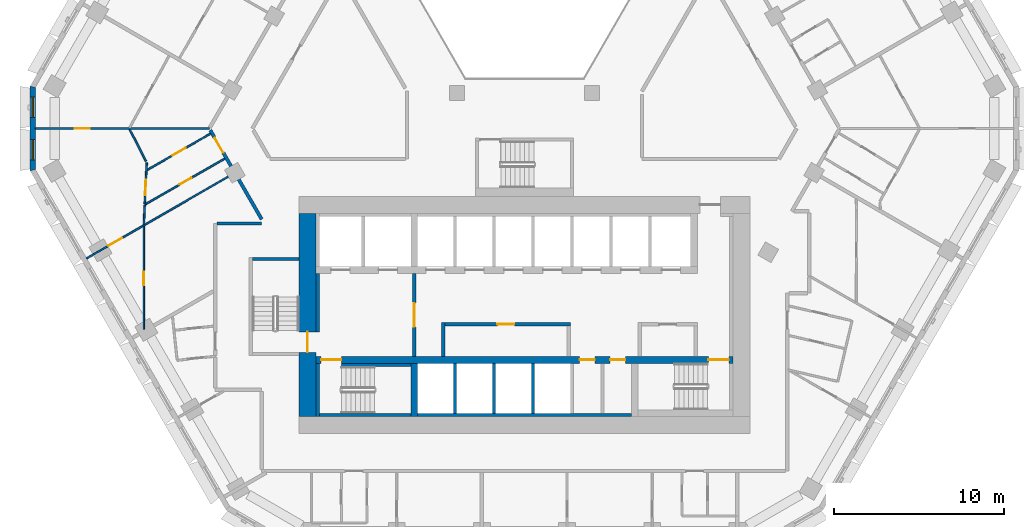
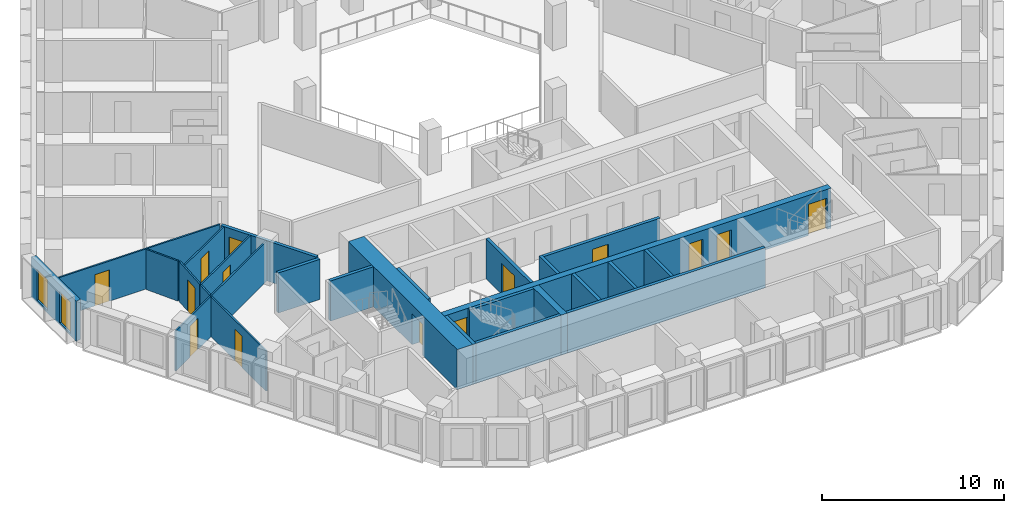
# One storey, part 4 of 18: 26 walls, 14 doors, 2 windows, 16 openings.
"""IFC4 building model written with IfcOpenShell, lengths in metres."""

from ifc_helpers import new_model, si_unit, direction, frame, frame_2d, origin, place, context, subcontext, project, spatial, polyline, rectangle, outline, extrude, material, layer, layer_set, type_object, element, fill, save


model = new_model("IFC4")

# Units and contexts
model_context = context("Model", 3, precision=1e-05, world=origin(), true_north=direction((0.0, 1.0)))
body_context = subcontext(model_context, "Body", "Model", "MODEL_VIEW")
ifc_project = project(units=[si_unit("LENGTHUNIT", "METRE"), si_unit("AREAUNIT", "SQUARE_METRE"), si_unit("VOLUMEUNIT", "CUBIC_METRE"), si_unit("PLANEANGLEUNIT", "RADIAN"), si_unit("MASSUNIT", "GRAM", prefix="KILO")], contexts=[model_context])

# Site, building, storey
site_placement = place(None, origin())
site = spatial("IfcSite", under=ifc_project, at=site_placement, CompositionType="ELEMENT")
building_placement = place(site_placement, origin())
building = spatial("IfcBuilding", under=site, at=building_placement, Name="Beryl Residences", CompositionType="ELEMENT")
storey_placement = place(building_placement, frame((0.0, 0.0, 81.0)))
storey = spatial("IfcBuildingStorey", under=building, at=storey_placement, Name="L24", CompositionType="ELEMENT", Elevation=81.0)

# Wall, openings, windows
ifc_material_1 = material(Name="Composite metal panel with mineral wool insulation")
ifc_layer_1 = layer(ifc_material_1, 0.300048828125)
ifc_layer_set_1 = layer_set([ifc_layer_1], Name="ES1 pale metal composite panel wall 300 mm")
wall_type_1 = type_object("IfcWallType", Name="ES1 pale metal composite panel wall 300 mm", PredefinedType="SOLIDWALL", material=ifc_layer_set_1)
wall_1_placement = place(storey_placement, frame((-29.007080078125, 1.5, 0.0), z_axis=(0.0, 0.0, 1.0), x_axis=(0.0, -1.0, 0.0)))
wall_1 = element("IfcWall", 1, at=wall_1_placement, inside=storey, type_object=wall_type_1, Name="ES1 external wall L24 NW-SW", PredefinedType="SOLIDWALL", context=body_context, shape_type="SweptSolid", body=[
    extrude(outline(polyline([(0.0, -0.14990234375), (5.0, -0.14990234375), (4.919677734375, 0.14990234375), (0.080322265625, 0.14990234375), (0.0, -0.14990234375)])), origin(), (0.0, 0.0, 1.0), 2.699951171875),
])
opening_1_placement = place(wall_1_placement, frame((0.64990234375, 0.0, 0.14990234375)))
opening_1 = element("IfcOpeningElement", 2, at=opening_1_placement, cuts=wall_1, Name="Opening W2", PredefinedType="OPENING", context=body_context, shape_type="SweptSolid", body=[
    extrude(rectangle(XDim=1.199951171875, YDim=2.10009765625, at=frame_2d((0.60009765625, 1.050048828125))), frame((0.0, 0.159912109375, 0.0), z_axis=(0.0, -1.0, 0.0), x_axis=(1.0, 0.0, 0.0)), (0.0, 0.0, 1.0), 0.320068359375),
])
opening_2_placement = place(wall_1_placement, frame((3.14990234375, 0.0, 0.14990234375)))
opening_2 = element("IfcOpeningElement", 3, at=opening_2_placement, cuts=wall_1, Name="Opening W2", PredefinedType="OPENING", context=body_context, shape_type="SweptSolid", body=[
    extrude(rectangle(XDim=1.199951171875, YDim=2.10009765625, at=frame_2d((0.60009765625, 1.050048828125))), frame((0.0, 0.159912109375, 0.0), z_axis=(0.0, -1.0, 0.0), x_axis=(1.0, 0.0, 0.0)), (0.0, 0.0, 1.0), 0.320068359375),
])
ifc_material_2 = material(Name="Aluminium and clear glass", Category="aluminium")
window_type = type_object("IfcWindowType", Name="W2 chamfer window 1200 x 2100 mm", PartitioningType="SINGLE_PANEL", PredefinedType="WINDOW", material=ifc_material_2)
window_1_placement = place(opening_1_placement, origin())
window_1 = element("IfcWindow", 4, at=window_1_placement, inside=storey, type_object=window_type, Name="W2 window L24 NW-SW 1", OverallHeight=2.10009765625, OverallWidth=1.199951171875, PartitioningType="SINGLE_PANEL", PredefinedType="WINDOW", context=body_context, shape_type="SweptSolid", body=[
    extrude(rectangle(XDim=1.199951171875, YDim=2.10009765625, at=frame_2d((0.60009765625, 1.050048828125))), frame((0.0, 0.030029296875, 0.0), z_axis=(0.0, -1.0, 0.0), x_axis=(1.0, 0.0, 0.0)), (0.0, 0.0, 1.0), 0.06005859375),
])
fill(opening_1, window_1)
window_2_placement = place(opening_2_placement, origin())
window_2 = element("IfcWindow", 5, at=window_2_placement, inside=storey, type_object=window_type, Name="W2 window L24 NW-SW 2", OverallHeight=2.10009765625, OverallWidth=1.199951171875, PartitioningType="SINGLE_PANEL", PredefinedType="WINDOW", context=body_context, shape_type="SweptSolid", body=[
    extrude(rectangle(XDim=1.199951171875, YDim=2.10009765625, at=frame_2d((0.60009765625, 1.050048828125))), frame((0.0, 0.030029296875, 0.0), z_axis=(0.0, -1.0, 0.0), x_axis=(1.0, 0.0, 0.0)), (0.0, 0.0, 1.0), 0.06005859375),
])
fill(opening_2, window_2)

# Wall
ifc_material_3 = material(Name="Gypsum board partition on steel studs", Category="steel")
ifc_layer_2 = layer(ifc_material_3, 0.10009765625)
ifc_layer_set_2 = layer_set([ifc_layer_2], Name="PT1 partition 100 mm gypsum board on steel studs")
wall_type_2 = type_object("IfcWallType", Name="PT1 partition 100 mm gypsum board on steel studs", PredefinedType="PARTITIONING", material=ifc_layer_set_2)
wall_2_placement = place(storey_placement, frame((-23.2890625, -1.053955078125, 0.0), z_axis=(0.0, 0.0, 1.0), x_axis=(0.458226112305, -0.888835659726, 0.0)))
element("IfcWall", 6, at=wall_2_placement, inside=storey, type_object=wall_type_2, Name="Wall PT1 L24 009", PredefinedType="PARTITIONING", context=body_context, shape_type="SweptSolid", body=[
    extrude(rectangle(XDim=2.10400390625, YDim=0.10009765625, at=frame_2d((1.052001953125, 0.0))), origin(), (0.0, 0.0, 1.0), 2.699951171875),
])

# Wall, opening, door
wall_3_placement = place(storey_placement, frame((-28.85693359375, -1.0009765625, 0.0), z_axis=(0.0, 0.0, 1.0), x_axis=(1.0, 0.0, 0.0)))
wall_3 = element("IfcWall", 7, at=wall_3_placement, inside=storey, type_object=wall_type_2, Name="Wall PT1 L24 032", PredefinedType="PARTITIONING", context=body_context, shape_type="SweptSolid", body=[
    extrude(rectangle(XDim=10.265869140625, YDim=0.10009765625, at=frame_2d((5.1328125, 0.0))), origin(), (0.0, 0.0, 1.0), 2.699951171875),
])
opening_3_placement = place(wall_3_placement, frame((2.320068359375, 0.0, 0.0)))
opening_3 = element("IfcOpeningElement", 8, at=opening_3_placement, cuts=wall_3, Name="Opening D0621", PredefinedType="OPENING", context=body_context, shape_type="SweptSolid", body=[
    extrude(rectangle(XDim=0.89990234375, YDim=2.10009765625, at=frame_2d((0.449951171875, 1.050048828125))), frame((0.0, 0.06005859375, 0.0), z_axis=(0.0, -1.0, 0.0), x_axis=(1.0, 0.0, 0.0)), (0.0, 0.0, 1.0), 0.1201171875),
])
ifc_material_4 = material(Name="Timber door leaf", Category="wood")
door_type_1 = type_object("IfcDoorType", Name="D2 room door 900 x 2100 mm", OperationType="SINGLE_SWING_LEFT", PredefinedType="DOOR", material=ifc_material_4)
door_1_placement = place(opening_3_placement, origin())
door_1 = element("IfcDoor", 9, at=door_1_placement, inside=storey, type_object=door_type_1, Name="Door D0621 L24 001", OperationType="SINGLE_SWING_LEFT", OverallHeight=2.10009765625, OverallWidth=0.89990234375, PredefinedType="DOOR", context=body_context, shape_type="SweptSolid", body=[
    extrude(rectangle(XDim=0.89990234375, YDim=2.10009765625, at=frame_2d((0.449951171875, 1.050048828125))), frame((0.0, 0.02490234375, 0.0), z_axis=(0.0, -1.0, 0.0), x_axis=(1.0, 0.0, 0.0)), (0.0, 0.0, 1.0), 0.050048828125),
])
fill(opening_3, door_1)

wall_4_placement = place(storey_placement, frame((-22.39892578125, -5.449951171875, 0.0), z_axis=(0.0, 0.0, 1.0), x_axis=(0.049129140995, 0.998792434646, 0.0)))
wall_4 = element("IfcWall", 10, at=wall_4_placement, inside=storey, type_object=wall_type_2, Name="Wall PT1 L24 052", PredefinedType="PARTITIONING", context=body_context, shape_type="SweptSolid", body=[
    extrude(rectangle(XDim=2.43994140625, YDim=0.10009765625, at=frame_2d((1.219970703125, 0.0))), origin(), (0.0, 0.0, 1.0), 2.699951171875),
])
opening_4_placement = place(wall_4_placement, frame((0.52197265625, 0.0, 0.0)))
opening_4 = element("IfcOpeningElement", 11, at=opening_4_placement, cuts=wall_4, Name="Opening D0620", PredefinedType="OPENING", context=body_context, shape_type="SweptSolid", body=[
    extrude(rectangle(XDim=0.89990234375, YDim=2.10009765625, at=frame_2d((0.449951171875, 1.050048828125))), frame((0.0, 0.06005859375, 0.0), z_axis=(0.0, -1.0, 0.0), x_axis=(1.0, 0.0, 0.0)), (0.0, 0.0, 1.0), 0.1201171875),
])
door_2_placement = place(opening_4_placement, origin())
door_2 = element("IfcDoor", 12, at=door_2_placement, inside=storey, type_object=door_type_1, Name="Door D0620 L24 001", OperationType="SINGLE_SWING_RIGHT", OverallHeight=2.10009765625, OverallWidth=0.89990234375, PredefinedType="DOOR", context=body_context, shape_type="SweptSolid", body=[
    extrude(rectangle(XDim=0.89990234375, YDim=2.10009765625, at=frame_2d((0.449951171875, 1.050048828125))), frame((0.0, 0.02490234375, 0.0), z_axis=(0.0, -1.0, 0.0), x_axis=(1.0, 0.0, 0.0)), (0.0, 0.0, 1.0), 0.050048828125),
])
fill(opening_4, door_2)

# Wall
wall_5_placement = place(storey_placement, frame((-22.447998046875, -6.65087890625, 0.0), z_axis=(0.0, 0.0, 1.0), x_axis=(0.040729401597, 0.99917021365, 0.0)))
element("IfcWall", 13, at=wall_5_placement, inside=storey, type_object=wall_type_2, Name="Wall PT1 L24 053", PredefinedType="PARTITIONING", context=body_context, shape_type="SweptSolid", body=[
    extrude(rectangle(XDim=1.126953125, YDim=0.10009765625, at=frame_2d((0.5634765625, 0.0))), origin(), (0.0, 0.0, 1.0), 2.699951171875),
])

# Wall, opening, door
wall_6_placement = place(storey_placement, frame((-22.449951171875, -12.845947265625, 0.0), z_axis=(0.0, 0.0, 1.0), x_axis=(0.0, 1.0, 0.0)))
wall_6 = element("IfcWall", 14, at=wall_6_placement, inside=storey, type_object=wall_type_2, Name="Wall PT1 L24 066", PredefinedType="PARTITIONING", context=body_context, shape_type="SweptSolid", body=[
    extrude(rectangle(XDim=6.077880859375, YDim=0.10009765625, at=frame_2d((3.0390625, 0.0))), origin(), (0.0, 0.0, 1.0), 2.699951171875),
])
opening_5_placement = place(wall_6_placement, frame((2.610107421875, 0.0, 0.0)))
opening_5 = element("IfcOpeningElement", 15, at=opening_5_placement, cuts=wall_6, Name="Opening D0623", PredefinedType="OPENING", context=body_context, shape_type="SweptSolid", body=[
    extrude(rectangle(XDim=0.800048828125, YDim=2.10009765625, at=frame_2d((0.39990234375, 1.050048828125))), frame((0.0, 0.06005859375, 0.0), z_axis=(0.0, -1.0, 0.0), x_axis=(1.0, 0.0, 0.0)), (0.0, 0.0, 1.0), 0.1201171875),
])
ifc_material_5 = material(Name="Timber door leaf", Category="wood")
door_type_2 = type_object("IfcDoorType", Name="D3 bathroom door 800 x 2100 mm", OperationType="SINGLE_SWING_LEFT", PredefinedType="DOOR", material=ifc_material_5)
door_3_placement = place(opening_5_placement, origin())
door_3 = element("IfcDoor", 16, at=door_3_placement, inside=storey, type_object=door_type_2, Name="Door D0623 L24 001", OperationType="SINGLE_SWING_LEFT", OverallHeight=2.10009765625, OverallWidth=0.800048828125, PredefinedType="DOOR", context=body_context, shape_type="SweptSolid", body=[
    extrude(rectangle(XDim=0.800048828125, YDim=2.10009765625, at=frame_2d((0.39990234375, 1.050048828125))), frame((0.0, 0.02490234375, 0.0), z_axis=(0.0, -1.0, 0.0), x_axis=(1.0, 0.0, 0.0)), (0.0, 0.0, 1.0), 0.050048828125),
])
fill(opening_5, door_3)

wall_7_placement = place(storey_placement, frame((-25.830078125, -8.662109375, 0.0), z_axis=(0.0, 0.0, 1.0), x_axis=(0.866022959057, 0.500004234368, 0.0)))
wall_7 = element("IfcWall", 17, at=wall_7_placement, inside=storey, type_object=wall_type_2, Name="Wall PT1 L24 071", PredefinedType="PARTITIONING", context=body_context, shape_type="SweptSolid", body=[
    extrude(rectangle(XDim=10.0, YDim=0.10009765625, at=frame_2d((5.0, 0.0))), origin(), (0.0, 0.0, 1.0), 2.699951171875),
])
opening_6_placement = place(wall_7_placement, frame((1.5009765625, 0.0, 0.0)))
opening_6 = element("IfcOpeningElement", 18, at=opening_6_placement, cuts=wall_7, Name="Opening D0622", PredefinedType="OPENING", context=body_context, shape_type="SweptSolid", body=[
    extrude(rectangle(XDim=0.89990234375, YDim=2.10009765625, at=frame_2d((0.449951171875, 1.050048828125))), frame((0.0, 0.06005859375, 0.0), z_axis=(0.0, -1.0, 0.0), x_axis=(1.0, 0.0, 0.0)), (0.0, 0.0, 1.0), 0.1201171875),
])
door_4_placement = place(opening_6_placement, origin())
door_4 = element("IfcDoor", 19, at=door_4_placement, inside=storey, type_object=door_type_1, Name="Door D0622 L24 001", OperationType="SINGLE_SWING_RIGHT", OverallHeight=2.10009765625, OverallWidth=0.89990234375, PredefinedType="DOOR", context=body_context, shape_type="SweptSolid", body=[
    extrude(rectangle(XDim=0.89990234375, YDim=2.10009765625, at=frame_2d((0.449951171875, 1.050048828125))), frame((0.0, 0.02490234375, 0.0), z_axis=(0.0, -1.0, 0.0), x_axis=(1.0, 0.0, 0.0)), (0.0, 0.0, 1.0), 0.050048828125),
])
fill(opening_6, door_4)

wall_8_placement = place(storey_placement, frame((-22.40087890625, -5.489990234375, 0.0), z_axis=(0.0, 0.0, 1.0), x_axis=(0.867314404256, 0.497760709749, 0.0)))
wall_8 = element("IfcWall", 20, at=wall_8_placement, inside=storey, type_object=wall_type_2, Name="Wall PT1 L24 072", PredefinedType="PARTITIONING", context=body_context, shape_type="SweptSolid", body=[
    extrude(rectangle(XDim=5.4443359375, YDim=0.10009765625, at=frame_2d((2.72216796875, 0.0))), origin(), (0.0, 0.0, 1.0), 2.699951171875),
])
opening_7_placement = place(wall_8_placement, frame((2.3720703125, 0.0, 0.0)))
opening_7 = element("IfcOpeningElement", 21, at=opening_7_placement, cuts=wall_8, Name="Opening D0618", PredefinedType="OPENING", context=body_context, shape_type="SweptSolid", body=[
    extrude(rectangle(XDim=0.800048828125, YDim=2.10009765625, at=frame_2d((0.39990234375, 1.050048828125))), frame((0.0, 0.06005859375, 0.0), z_axis=(0.0, -1.0, 0.0), x_axis=(1.0, 0.0, 0.0)), (0.0, 0.0, 1.0), 0.1201171875),
])
door_5_placement = place(opening_7_placement, origin())
door_5 = element("IfcDoor", 22, at=door_5_placement, inside=storey, type_object=door_type_2, Name="Door D0618 L24 001", OperationType="SINGLE_SWING_RIGHT", OverallHeight=2.10009765625, OverallWidth=0.800048828125, PredefinedType="DOOR", context=body_context, shape_type="SweptSolid", body=[
    extrude(rectangle(XDim=0.800048828125, YDim=2.10009765625, at=frame_2d((0.39990234375, 1.050048828125))), frame((0.0, 0.02490234375, 0.0), z_axis=(0.0, -1.0, 0.0), x_axis=(1.0, 0.0, 0.0)), (0.0, 0.0, 1.0), 0.050048828125),
])
fill(opening_7, door_5)

wall_9_placement = place(storey_placement, frame((-22.25, -3.443115234375, 0.0), z_axis=(0.0, 0.0, 1.0), x_axis=(0.867362741349, 0.497676476156, 0.0)))
wall_9 = element("IfcWall", 23, at=wall_9_placement, inside=storey, type_object=wall_type_2, Name="Wall PT1 L24 073", PredefinedType="PARTITIONING", context=body_context, shape_type="SweptSolid", body=[
    extrude(rectangle(XDim=4.2900390625, YDim=0.10009765625, at=frame_2d((2.14501953125, 0.0))), origin(), (0.0, 0.0, 1.0), 2.699951171875),
])
opening_8_placement = place(wall_9_placement, frame((1.715087890625, 0.0, 0.0)))
opening_8 = element("IfcOpeningElement", 24, at=opening_8_placement, cuts=wall_9, Name="Opening D0619", PredefinedType="OPENING", context=body_context, shape_type="SweptSolid", body=[
    extrude(rectangle(XDim=0.89990234375, YDim=2.10009765625, at=frame_2d((0.449951171875, 1.050048828125))), frame((0.0, 0.06005859375, 0.0), z_axis=(0.0, -1.0, 0.0), x_axis=(1.0, 0.0, 0.0)), (0.0, 0.0, 1.0), 0.1201171875),
])
door_6_placement = place(opening_8_placement, origin())
door_6 = element("IfcDoor", 25, at=door_6_placement, inside=storey, type_object=door_type_1, Name="Door D0619 L24 001", OperationType="SINGLE_SWING_LEFT", OverallHeight=2.10009765625, OverallWidth=0.89990234375, PredefinedType="DOOR", context=body_context, shape_type="SweptSolid", body=[
    extrude(rectangle(XDim=0.89990234375, YDim=2.10009765625, at=frame_2d((0.449951171875, 1.050048828125))), frame((0.0, 0.02490234375, 0.0), z_axis=(0.0, -1.0, 0.0), x_axis=(1.0, 0.0, 0.0)), (0.0, 0.0, 1.0), 0.050048828125),
])
fill(opening_8, door_6)

# Wall
ifc_material_6 = material(Name="Concrete masonry", Category="masonry")
ifc_layer_3 = layer(ifc_material_6, 0.199951171875)
ifc_layer_set_3 = layer_set([ifc_layer_3], Name="PT13 lobby wall 200 mm")
wall_type_3 = type_object("IfcWallType", Name="PT13 lobby wall 200 mm", PredefinedType="PARTITIONING", material=ifc_layer_set_3)
wall_10_placement = place(storey_placement, frame((-12.199951171875, -13.0, 0.0), z_axis=(0.0, 0.0, 1.0), x_axis=(0.0, 1.0, 0.0)))
element("IfcWall", 26, at=wall_10_placement, inside=storey, type_object=wall_type_3, Name="Lobby wall 05", PredefinedType="PARTITIONING", context=body_context, shape_type="SweptSolid", body=[
    extrude(rectangle(XDim=3.449951171875, YDim=0.199951171875, at=frame_2d((1.72509765625, 0.0))), origin(), (0.0, 0.0, 1.0), 2.699951171875),
])

# Wall, opening, door
wall_11_placement = place(storey_placement, frame((-6.5, -14.449951171875, 0.0), z_axis=(0.0, 0.0, 1.0), x_axis=(0.0, 1.0, 0.0)))
wall_11 = element("IfcWall", 27, at=wall_11_placement, inside=storey, type_object=wall_type_3, Name="Lobby wall 11", PredefinedType="PARTITIONING", context=body_context, shape_type="SweptSolid", body=[
    extrude(rectangle(XDim=4.89990234375, YDim=0.199951171875, at=frame_2d((2.449951171875, 0.0))), origin(), (0.0, 0.0, 1.0), 2.699951171875),
])
opening_9_placement = place(wall_11_placement, frame((3.14990234375, 0.0, 0.0), z_axis=(0.0, 0.0, 1.0), x_axis=(-1.0, 0.0, 0.0)))
opening_9 = element("IfcOpeningElement", 28, at=opening_9_placement, cuts=wall_11, Name="Opening FD-FFL", PredefinedType="OPENING", context=body_context, shape_type="SweptSolid", body=[
    extrude(rectangle(XDim=1.39990234375, YDim=2.10009765625, at=frame_2d((0.699951171875, 1.050048828125))), frame((0.0, 0.10986328125, 0.0), z_axis=(0.0, -1.0, 0.0), x_axis=(1.0, 0.0, 0.0)), (0.0, 0.0, 1.0), 0.219970703125),
])
ifc_material_7 = material(Name="Steel door leaf in steel frame", Category="steel")
door_type_3 = type_object("IfcDoorType", Name="D5 lobby door 1400 x 2100 mm", OperationType="DOUBLE_DOOR_SINGLE_SWING", PredefinedType="DOOR", material=ifc_material_7)
door_7_placement = place(opening_9_placement, origin())
door_7 = element("IfcDoor", 29, at=door_7_placement, inside=storey, type_object=door_type_3, Name="Door FD-FFL L24 001", OperationType="DOUBLE_DOOR_SINGLE_SWING", OverallHeight=2.10009765625, OverallWidth=1.39990234375, PredefinedType="DOOR", context=body_context, shape_type="SweptSolid", body=[
    extrude(rectangle(XDim=1.39990234375, YDim=2.10009765625, at=frame_2d((0.699951171875, 1.050048828125))), frame((0.0, 0.02490234375, 0.0), z_axis=(0.0, -1.0, 0.0), x_axis=(1.0, 0.0, 0.0)), (0.0, 0.0, 1.0), 0.050048828125),
])
fill(opening_9, door_7)

# Wall
wall_12_placement = place(storey_placement, frame((-4.800048828125, -14.449951171875, 0.0), z_axis=(0.0, 0.0, 1.0), x_axis=(0.0, 1.0, 0.0)))
element("IfcWall", 30, at=wall_12_placement, inside=storey, type_object=wall_type_3, Name="Lobby wall 14", PredefinedType="PARTITIONING", context=body_context, shape_type="SweptSolid", body=[
    extrude(rectangle(XDim=2.0, YDim=0.199951171875, at=frame_2d((1.0, 0.0))), origin(), (0.0, 0.0, 1.0), 2.699951171875),
])

# Wall, opening, door
wall_13_placement = place(storey_placement, frame((-4.699951171875, -12.550048828125, 0.0), z_axis=(0.0, 0.0, 1.0), x_axis=(1.0, 0.0, 0.0)))
wall_13 = element("IfcWall", 31, at=wall_13_placement, inside=storey, type_object=wall_type_3, Name="Lobby wall 15", PredefinedType="PARTITIONING", context=body_context, shape_type="SweptSolid", body=[
    extrude(rectangle(XDim=7.39990234375, YDim=0.199951171875, at=frame_2d((3.699951171875, 0.0))), origin(), (0.0, 0.0, 1.0), 2.699951171875),
])
opening_10_placement = place(wall_13_placement, frame((4.10009765625, 0.0, 0.0), z_axis=(0.0, 0.0, 1.0), x_axis=(-1.0, 0.0, 0.0)))
opening_10 = element("IfcOpeningElement", 32, at=opening_10_placement, cuts=wall_13, Name="Opening CD-D-A1", PredefinedType="OPENING", context=body_context, shape_type="SweptSolid", body=[
    extrude(rectangle(XDim=1.0, YDim=2.10009765625, at=frame_2d((0.5, 1.050048828125))), frame((0.0, 0.10986328125, 0.0), z_axis=(0.0, -1.0, 0.0), x_axis=(1.0, 0.0, 0.0)), (0.0, 0.0, 1.0), 0.219970703125),
])
ifc_material_8 = material(Name="Steel door leaf in steel frame", Category="steel")
door_type_4 = type_object("IfcDoorType", Name="D18 service room door 1000 x 2100 mm", OperationType="SINGLE_SWING_LEFT", PredefinedType="DOOR", material=ifc_material_8)
door_8_placement = place(opening_10_placement, origin())
door_8 = element("IfcDoor", 33, at=door_8_placement, inside=storey, type_object=door_type_4, Name="Door CD-D-A1 L24 001", OperationType="SINGLE_SWING_RIGHT", OverallHeight=2.10009765625, OverallWidth=1.0, PredefinedType="DOOR", context=body_context, shape_type="SweptSolid", body=[
    extrude(rectangle(XDim=1.0, YDim=2.10009765625, at=frame_2d((0.5, 1.050048828125))), frame((0.0, 0.02490234375, 0.0), z_axis=(0.0, -1.0, 0.0), x_axis=(1.0, 0.0, 0.0)), (0.0, 0.0, 1.0), 0.050048828125),
])
fill(opening_10, door_8)

ifc_material_9 = material(Name="Double stud gypsum board wall")
ifc_layer_4 = layer(ifc_material_9, 0.199951171875)
ifc_layer_set_4 = layer_set([ifc_layer_4], Name="PT4 corridor wall 200 mm double stud")
wall_type_4 = type_object("IfcWallType", Name="PT4 corridor wall 200 mm double stud", PredefinedType="PARTITIONING", material=ifc_layer_set_4)
wall_14_placement = place(storey_placement, frame((-18.532958984375, -1.10107421875, 0.0), z_axis=(0.0, 0.0, 1.0), x_axis=(0.500022085096, -0.866012652573, 0.0)))
wall_14 = element("IfcWall", 34, at=wall_14_placement, inside=storey, type_object=wall_type_4, Name="Wall PT4 L24 003", PredefinedType="PARTITIONING", context=body_context, shape_type="SweptSolid", body=[
    extrude(rectangle(XDim=6.065673828125, YDim=0.199951171875, at=frame_2d((3.03271484375, 0.0))), origin(), (0.0, 0.0, 1.0), 2.699951171875),
])
opening_11_placement = place(wall_14_placement, frame((0.531982421875, 0.0, 0.0)))
opening_11 = element("IfcOpeningElement", 35, at=opening_11_placement, cuts=wall_14, Name="Opening D0617", PredefinedType="OPENING", context=body_context, shape_type="SweptSolid", body=[
    extrude(rectangle(XDim=1.0, YDim=2.10009765625, at=frame_2d((0.5, 1.050048828125))), frame((0.0, 0.10986328125, 0.0), z_axis=(0.0, -1.0, 0.0), x_axis=(1.0, 0.0, 0.0)), (0.0, 0.0, 1.0), 0.219970703125),
])
ifc_material_10 = material(Name="Timber door leaf", Category="wood")
door_type_5 = type_object("IfcDoorType", Name="D1 flat entrance door 1000 x 2100 mm", OperationType="SINGLE_SWING_LEFT", PredefinedType="DOOR", material=ifc_material_10)
door_9_placement = place(opening_11_placement, origin())
door_9 = element("IfcDoor", 36, at=door_9_placement, inside=storey, type_object=door_type_5, Name="Door D0617 L24 001", OperationType="SINGLE_SWING_LEFT", OverallHeight=2.10009765625, OverallWidth=1.0, PredefinedType="DOOR", context=body_context, shape_type="SweptSolid", body=[
    extrude(rectangle(XDim=1.0, YDim=2.10009765625, at=frame_2d((0.5, 1.050048828125))), frame((0.0, 0.02490234375, 0.0), z_axis=(0.0, -1.0, 0.0), x_axis=(1.0, 0.0, 0.0)), (0.0, 0.0, 1.0), 0.050048828125),
])
fill(opening_11, door_9)

# Walls
wall_15_placement = place(storey_placement, frame((-18.14990234375, -6.60009765625, 0.0), z_axis=(0.0, 0.0, 1.0), x_axis=(1.0, 0.0, 0.0)))
element("IfcWall", 37, at=wall_15_placement, inside=storey, type_object=wall_type_4, Name="Wall PT4 L24 013", PredefinedType="PARTITIONING", context=body_context, shape_type="SweptSolid", body=[
    extrude(rectangle(XDim=2.64892578125, YDim=0.199951171875, at=frame_2d((1.324462890625, 0.0))), origin(), (0.0, 0.0, 1.0), 2.699951171875),
])
ifc_material_11 = material(Name="Concrete C40/50", Category="concrete")
ifc_layer_5 = layer(ifc_material_11, 0.199951171875)
ifc_layer_set_5 = layer_set([ifc_layer_5], Name="PT5 stair enclosure wall 200 mm reinforced concrete C40/50")
wall_type_5 = type_object("IfcWallType", Name="PT5 stair enclosure wall 200 mm reinforced concrete C40/50", PredefinedType="SOLIDWALL", material=ifc_layer_set_5)
wall_16_placement = place(storey_placement, frame((-16.050048828125, -8.699951171875, 0.0), z_axis=(0.0, 0.0, 1.0), x_axis=(1.0, 0.0, 0.0)))
element("IfcWall", 38, at=wall_16_placement, inside=storey, type_object=wall_type_5, Name="Stair wall 03", PredefinedType="SOLIDWALL", context=body_context, shape_type="SweptSolid", body=[
    extrude(rectangle(XDim=2.75, YDim=0.199951171875, at=frame_2d((1.375, 0.0))), origin(), (0.0, 0.0, 1.0), 2.699951171875),
])
wall_17_placement = place(storey_placement, frame((-12.199951171875, -18.0, 0.0), z_axis=(0.0, 0.0, 1.0), x_axis=(0.0, 1.0, 0.0)))
element("IfcWall", 39, at=wall_17_placement, inside=storey, type_object=wall_type_5, Name="Stair wall 04", PredefinedType="SOLIDWALL", context=body_context, shape_type="SweptSolid", body=[
    extrude(rectangle(XDim=3.14990234375, YDim=0.199951171875, at=frame_2d((1.574951171875, 0.0))), origin(), (0.0, 0.0, 1.0), 2.699951171875),
])
wall_18_placement = place(storey_placement, frame((-12.10009765625, -17.89990234375, 0.0), z_axis=(0.0, 0.0, 1.0), x_axis=(1.0, 0.0, 0.0)))
element("IfcWall", 40, at=wall_18_placement, inside=storey, type_object=wall_type_5, Name="Stair wall 07", PredefinedType="SOLIDWALL", context=body_context, shape_type="SweptSolid", body=[
    extrude(rectangle(XDim=5.400146484375, YDim=0.199951171875, at=frame_2d((2.7001953125, 0.0))), origin(), (0.0, 0.0, 1.0), 2.699951171875),
])
wall_19_placement = place(storey_placement, frame((-10.800048828125, -14.949951171875, 0.0), z_axis=(0.0, 0.0, 1.0), x_axis=(1.0, 0.0, 0.0)))
element("IfcWall", 41, at=wall_19_placement, inside=storey, type_object=wall_type_5, Name="Stair wall 09", PredefinedType="SOLIDWALL", context=body_context, shape_type="SweptSolid", body=[
    extrude(rectangle(XDim=4.10009765625, YDim=0.199951171875, at=frame_2d((2.050048828125, 0.0))), origin(), (0.0, 0.0, 1.0), 2.699951171875),
])
ifc_material_12 = material(Name="Concrete C40/50", Category="concrete")
ifc_layer_6 = layer(ifc_material_12, 0.199951171875)
ifc_layer_set_6 = layer_set([ifc_layer_6], Name="PT6 lift shaft wall 200 mm reinforced concrete C40/50")
wall_type_6 = type_object("IfcWallType", Name="PT6 lift shaft wall 200 mm reinforced concrete C40/50", PredefinedType="SOLIDWALL", material=ifc_layer_set_6)
wall_20_placement = place(storey_placement, frame((-6.300048828125, -17.89990234375, 0.0), z_axis=(0.0, 0.0, 1.0), x_axis=(1.0, 0.0, 0.0)))
element("IfcWall", 42, at=wall_20_placement, inside=storey, type_object=wall_type_6, Name="Lift shaft wall 12", PredefinedType="SOLIDWALL", context=body_context, shape_type="SweptSolid", body=[
    extrude(rectangle(XDim=12.60009765625, YDim=0.199951171875, at=frame_2d((6.300048828125, 0.0))), origin(), (0.0, 0.0, 1.0), 2.699951171875),
])
for number, where, z_axis, x_axis, name in (
    (43, (-4.10009765625, -17.800048828125, 0.0), (0.0, 0.0, 1.0), (0.0, 1.0, 0.0), "Lift shaft wall 16"),
    (44, (-1.800048828125, -17.800048828125, 0.0), (0.0, 0.0, 1.0), (0.0, 1.0, 0.0), "Lift shaft wall 18"),
    (45, (0.5, -17.800048828125, 0.0), (0.0, 0.0, 1.0), (0.0, 1.0, 0.0), "Lift shaft wall 20"),
):
    element("IfcWall", number, at=place(storey_placement, frame(where, z_axis=z_axis, x_axis=x_axis)), inside=storey, type_object=wall_type_6, Name=name, PredefinedType="SOLIDWALL", context=body_context, shape_type="SweptSolid", body=[
        extrude(rectangle(XDim=2.949951171875, YDim=0.199951171875, at=frame_2d((1.47509765625, 0.0))), origin(), (0.0, 0.0, 1.0), 2.699951171875),
    ])

# Wall, opening, door
ifc_material_13 = material(Name="Concrete C70/85", Category="concrete")
ifc_layer_7 = layer(ifc_material_13, 1.0)
ifc_layer_set_7 = layer_set([ifc_layer_7], Name="SW2 core outer wall 1000 mm C70/85")
wall_type_7 = type_object("IfcWallType", Name="SW2 core outer wall 1000 mm C70/85", PredefinedType="SHEAR", material=ifc_layer_set_7)
wall_21_placement = place(storey_placement, frame((-12.800048828125, -18.0, 0.0), z_axis=(0.0, 0.0, 1.0), x_axis=(0.0, 1.0, 0.0)))
wall_21 = element("IfcWall", 46, at=wall_21_placement, inside=storey, type_object=wall_type_7, Name="Core wall W L24", PredefinedType="SHEAR", context=body_context, shape_type="SweptSolid", body=[
    extrude(rectangle(XDim=12.0, YDim=1.0, at=frame_2d((6.0, 0.0))), origin(), (0.0, 0.0, 1.0), 2.699951171875),
])
opening_12_placement = place(wall_21_placement, frame((3.800048828125, 0.0, 0.0)))
opening_12 = element("IfcOpeningElement", 47, at=opening_12_placement, cuts=wall_21, Name="Opening SD-2", PredefinedType="OPENING", context=body_context, shape_type="SweptSolid", body=[
    extrude(rectangle(XDim=1.199951171875, YDim=2.10009765625, at=frame_2d((0.60009765625, 1.050048828125))), frame((0.0, 0.510009765625, 0.0), z_axis=(0.0, -1.0, 0.0), x_axis=(1.0, 0.0, 0.0)), (0.0, 0.0, 1.0), 1.02001953125),
])
ifc_material_14 = material(Name="Steel door leaf in steel frame", Category="steel")
door_type_6 = type_object("IfcDoorType", Name="D4 stair door 1200 x 2100 mm", OperationType="SINGLE_SWING_LEFT", PredefinedType="DOOR", material=ifc_material_14)
door_10_placement = place(opening_12_placement, origin())
door_10 = element("IfcDoor", 48, at=door_10_placement, inside=storey, type_object=door_type_6, Name="Door SD-2 L24 001", OperationType="SINGLE_SWING_RIGHT", OverallHeight=2.10009765625, OverallWidth=1.199951171875, PredefinedType="DOOR", context=body_context, shape_type="SweptSolid", body=[
    extrude(rectangle(XDim=1.199951171875, YDim=2.10009765625, at=frame_2d((0.60009765625, 1.050048828125))), frame((0.0, 0.02490234375, 0.0), z_axis=(0.0, -1.0, 0.0), x_axis=(1.0, 0.0, 0.0)), (0.0, 0.0, 1.0), 0.050048828125),
])
fill(opening_12, door_10)

# Wall, openings, doors
ifc_material_15 = material(Name="Concrete C70/85", Category="concrete")
ifc_layer_8 = layer(ifc_material_15, 0.39990234375)
ifc_layer_set_8 = layer_set([ifc_layer_8], Name="SW7 core internal wall 400 mm C70/85")
wall_type_8 = type_object("IfcWallType", Name="SW7 core internal wall 400 mm C70/85", PredefinedType="SHEAR", material=ifc_layer_set_8)
wall_22_placement = place(storey_placement, frame((-12.300048828125, -14.64990234375, 0.0), z_axis=(0.0, 0.0, 1.0), x_axis=(1.0, 0.0, 0.0)))
wall_22 = element("IfcWall", 49, at=wall_22_placement, inside=storey, type_object=wall_type_8, Name="Core wall SP1 L24", PredefinedType="SHEAR", context=body_context, shape_type="SweptSolid", body=[
    extrude(rectangle(XDim=24.60009765625, YDim=0.39990234375, at=frame_2d((12.300048828125, 0.0))), origin(), (0.0, 0.0, 1.0), 2.699951171875),
])
opening_13_placement = place(wall_22_placement, frame((1.5, 0.0, 0.0), z_axis=(0.0, 0.0, 1.0), x_axis=(-1.0, 0.0, 0.0)))
opening_13 = element("IfcOpeningElement", 50, at=opening_13_placement, cuts=wall_22, Name="Opening SD-1", PredefinedType="OPENING", context=body_context, shape_type="SweptSolid", body=[
    extrude(rectangle(XDim=1.199951171875, YDim=2.10009765625, at=frame_2d((0.60009765625, 1.050048828125))), frame((0.0, 0.2099609375, 0.0), z_axis=(0.0, -1.0, 0.0), x_axis=(1.0, 0.0, 0.0)), (0.0, 0.0, 1.0), 0.419921875),
])
opening_14_placement = place(wall_22_placement, frame((24.349853515625, 0.0, 0.0), z_axis=(0.0, 0.0, 1.0), x_axis=(-1.0, 0.0, 0.0)))
opening_14 = element("IfcOpeningElement", 51, at=opening_14_placement, cuts=wall_22, Name="Opening SD-3", PredefinedType="OPENING", context=body_context, shape_type="SweptSolid", body=[
    extrude(rectangle(XDim=1.199951171875, YDim=2.10009765625, at=frame_2d((0.60009765625, 1.050048828125))), frame((0.0, 0.2099609375, 0.0), z_axis=(0.0, -1.0, 0.0), x_axis=(1.0, 0.0, 0.0)), (0.0, 0.0, 1.0), 0.419921875),
])
opening_15_placement = place(wall_22_placement, frame((16.449951171875, 0.0, 0.0), z_axis=(0.0, 0.0, 1.0), x_axis=(-1.0, 0.0, 0.0)))
opening_15 = element("IfcOpeningElement", 52, at=opening_15_placement, cuts=wall_22, Name="Opening CD-D-S1-900", PredefinedType="OPENING", context=body_context, shape_type="SweptSolid", body=[
    extrude(rectangle(XDim=0.89990234375, YDim=2.10009765625, at=frame_2d((0.449951171875, 1.050048828125))), frame((0.0, 0.2099609375, 0.0), z_axis=(0.0, -1.0, 0.0), x_axis=(1.0, 0.0, 0.0)), (0.0, 0.0, 1.0), 0.419921875),
])
opening_16_placement = place(wall_22_placement, frame((18.25, 0.0, 0.0), z_axis=(0.0, 0.0, 1.0), x_axis=(-1.0, 0.0, 0.0)))
opening_16 = element("IfcOpeningElement", 53, at=opening_16_placement, cuts=wall_22, Name="Opening CD-D-S2-900", PredefinedType="OPENING", context=body_context, shape_type="SweptSolid", body=[
    extrude(rectangle(XDim=0.89990234375, YDim=2.10009765625, at=frame_2d((0.449951171875, 1.050048828125))), frame((0.0, 0.2099609375, 0.0), z_axis=(0.0, -1.0, 0.0), x_axis=(1.0, 0.0, 0.0)), (0.0, 0.0, 1.0), 0.419921875),
])
door_11_placement = place(opening_13_placement, origin())
door_11 = element("IfcDoor", 54, at=door_11_placement, inside=storey, type_object=door_type_6, Name="Door SD-1 L24 001", OperationType="SINGLE_SWING_RIGHT", OverallHeight=2.10009765625, OverallWidth=1.199951171875, PredefinedType="DOOR", context=body_context, shape_type="SweptSolid", body=[
    extrude(rectangle(XDim=1.199951171875, YDim=2.10009765625, at=frame_2d((0.60009765625, 1.050048828125))), frame((0.0, 0.02490234375, 0.0), z_axis=(0.0, -1.0, 0.0), x_axis=(1.0, 0.0, 0.0)), (0.0, 0.0, 1.0), 0.050048828125),
])
fill(opening_13, door_11)
door_12_placement = place(opening_14_placement, origin())
door_12 = element("IfcDoor", 55, at=door_12_placement, inside=storey, type_object=door_type_6, Name="Door SD-3 L24 001", OperationType="SINGLE_SWING_RIGHT", OverallHeight=2.10009765625, OverallWidth=1.199951171875, PredefinedType="DOOR", context=body_context, shape_type="SweptSolid", body=[
    extrude(rectangle(XDim=1.199951171875, YDim=2.10009765625, at=frame_2d((0.60009765625, 1.050048828125))), frame((0.0, 0.02490234375, 0.0), z_axis=(0.0, -1.0, 0.0), x_axis=(1.0, 0.0, 0.0)), (0.0, 0.0, 1.0), 0.050048828125),
])
fill(opening_14, door_12)
ifc_material_16 = material(Name="Steel door leaf in steel frame", Category="steel")
door_type_7 = type_object("IfcDoorType", Name="D6 service room door 900 x 2100 mm", OperationType="SINGLE_SWING_LEFT", PredefinedType="DOOR", material=ifc_material_16)
door_13_placement = place(opening_15_placement, origin())
door_13 = element("IfcDoor", 56, at=door_13_placement, inside=storey, type_object=door_type_7, Name="Door CD-D-S1-900 L24 001", OperationType="SINGLE_SWING_RIGHT", OverallHeight=2.10009765625, OverallWidth=0.89990234375, PredefinedType="DOOR", context=body_context, shape_type="SweptSolid", body=[
    extrude(rectangle(XDim=0.89990234375, YDim=2.10009765625, at=frame_2d((0.449951171875, 1.050048828125))), frame((0.0, 0.02490234375, 0.0), z_axis=(0.0, -1.0, 0.0), x_axis=(1.0, 0.0, 0.0)), (0.0, 0.0, 1.0), 0.050048828125),
])
fill(opening_15, door_13)
door_14_placement = place(opening_16_placement, origin())
door_14 = element("IfcDoor", 57, at=door_14_placement, inside=storey, type_object=door_type_7, Name="Door CD-D-S2-900 L24 001", OperationType="SINGLE_SWING_LEFT", OverallHeight=2.10009765625, OverallWidth=0.89990234375, PredefinedType="DOOR", context=body_context, shape_type="SweptSolid", body=[
    extrude(rectangle(XDim=0.89990234375, YDim=2.10009765625, at=frame_2d((0.449951171875, 1.050048828125))), frame((0.0, 0.02490234375, 0.0), z_axis=(0.0, -1.0, 0.0), x_axis=(1.0, 0.0, 0.0)), (0.0, 0.0, 1.0), 0.050048828125),
])
fill(opening_16, door_14)

# Wall
wall_23_placement = place(storey_placement, frame((-6.5, -18.0, 0.0), z_axis=(0.0, 0.0, 1.0), x_axis=(0.0, 1.0, 0.0)))
element("IfcWall", 58, at=wall_23_placement, inside=storey, type_object=wall_type_8, Name="Core wall XS1 L24", PredefinedType="SHEAR", context=body_context, shape_type="SweptSolid", body=[
    extrude(rectangle(XDim=3.14990234375, YDim=0.39990234375, at=frame_2d((1.574951171875, 0.0))), origin(), (0.0, 0.0, 1.0), 2.699951171875),
])

save(model, "model.ifc")
